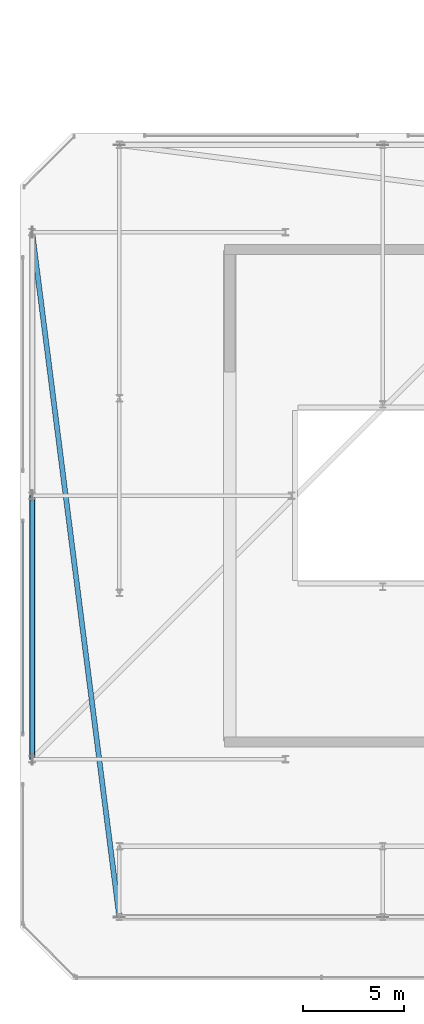
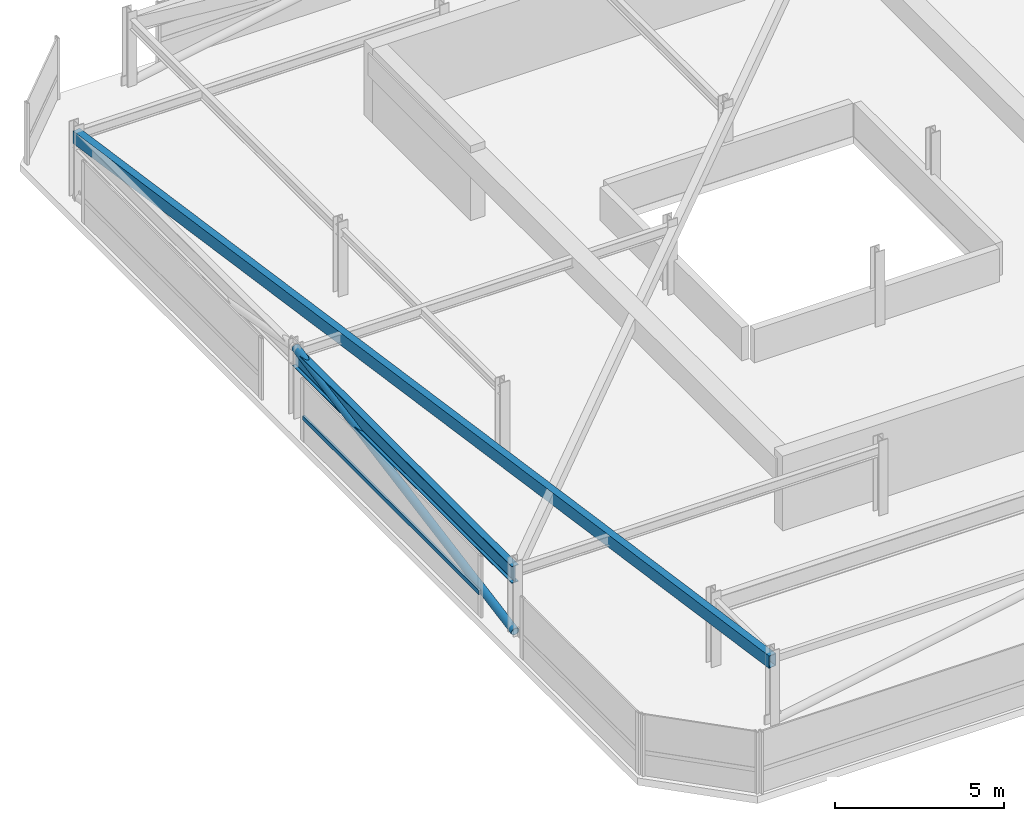
# One storey, part 11 of 42: 2 beams, 2 members, 1 element without a shape of its own.
"""IFC4 building model written with IfcOpenShell, lengths in metres."""

from ifc_helpers import new_model, si_unit, direction, frame, origin, origin_2d, place, context, subcontext, project, spatial, hollow_rectangle, hollow_circle, i_section, extrude, material, material_profile, profile_set, type_object, element, aggregate, save


model = new_model("IFC4")

# Units and contexts
model_context = context("Model", 3, precision=1e-05, world=origin(), true_north=direction((0.0, 1.0)))
body_context = subcontext(model_context, "Body", "Model", "MODEL_VIEW")
ifc_project = project(units=[si_unit("LENGTHUNIT", "METRE"), si_unit("AREAUNIT", "SQUARE_METRE"), si_unit("VOLUMEUNIT", "CUBIC_METRE"), si_unit("PLANEANGLEUNIT", "RADIAN"), si_unit("MASSUNIT", "GRAM", prefix="KILO")], contexts=[model_context])

# Site, building, storey
site_placement = place(None, origin())
site = spatial("IfcSite", under=ifc_project, at=site_placement, CompositionType="ELEMENT")
building_placement = place(site_placement, origin())
building = spatial("IfcBuilding", under=site, at=building_placement, Name="Thornwick Lancets Civic Towers", CompositionType="ELEMENT")
storey_placement = place(building_placement, frame((0.0, 0.0, 286.800048828125)))
storey = spatial("IfcBuildingStorey", under=building, at=storey_placement, Name="C03", CompositionType="ELEMENT", Elevation=286.800048828125)

# Beams
ifc_material_1 = material(Name="Steel S355JR", Category="steel")
ifc_material_profile_1 = material_profile(ifc_material_1, i_section(OverallWidth=0.230224609375, OverallDepth=0.6171875, WebThickness=0.01318359375, FlangeThickness=0.022216796875, FilletRadius=0.0126953125, at=origin_2d()), Name="UKB 610x229x140")
ifc_profile_set_1 = profile_set([ifc_material_profile_1], Name="Steel S355JR")
beam_type_1 = type_object("IfcBeamType", Name="BM_GIRD_610_140", PredefinedType="BEAM", material=ifc_profile_set_1)
beam_1_placement = place(storey_placement, frame((8.199951171875, 14.0, 2.13134765625), z_axis=(0.0, 1.0, 0.0), x_axis=(-1.0, 0.0, 0.0)))
element("IfcBeam", 1, at=beam_1_placement, inside=storey, type_object=beam_type_1, Name="BM-SPINE-C03-A-9-10", PredefinedType="BEAM", context=body_context, shape_type="SweptSolid", body=[
    extrude(i_section(OverallWidth=0.230224609375, OverallDepth=0.6171875, WebThickness=0.01318359375, FlangeThickness=0.022216796875, FilletRadius=0.0126953125, at=origin_2d()), origin(), (0.0, 0.0, 1.0), 13.0),
])
ifc_material_profile_2 = material_profile(ifc_material_1, hollow_rectangle(XDim=0.25, YDim=0.449951171875, WallThickness=0.01611328125, at=origin_2d()), Name="RHS 450x250x16")
ifc_profile_set_2 = profile_set([ifc_material_profile_2], Name="Steel S355JR")
beam_type_2 = type_object("IfcBeamType", Name="BM_RING_RHS450", PredefinedType="BEAM", material=ifc_profile_set_2)
beam_2_placement = place(storey_placement, frame((8.199951171875, 40.0, 2.21484375), z_axis=(0.126202998662, -0.992004437051, 0.0), x_axis=(0.992004437051, 0.126202998662, 0.0)))
element("IfcBeam", 2, at=beam_2_placement, inside=storey, type_object=beam_type_2, Name="BM-CHAMF-C03-A-C3", PredefinedType="BEAM", context=body_context, shape_type="SweptSolid", body=[
    extrude(hollow_rectangle(XDim=0.25, YDim=0.449951171875, WallThickness=0.01611328125, at=origin_2d()), origin(), (0.0, 0.0, 1.0), 34.072509765625),
])

# Curtain wall, member
ifc_material_2 = material(Name="Crown ring acoustic-louvre and glazing screen wall", Category="glass")
curtain_wall_type = type_object("IfcCurtainWallType", Name="CW_SYS_07", PredefinedType="NOTDEFINED", material=ifc_material_2)
curtain_wall_placement = place(storey_placement, origin())
curtain_wall = element("IfcCurtainWall", 3, at=curtain_wall_placement, inside=storey, type_object=curtain_wall_type, Name="C03 Curtain Wall CW-C03-A-E6-S2", PredefinedType="NOTDEFINED")
ifc_material_3 = material(Name="Thermally broken bronze aluminium S355", Category="steel")
ifc_material_profile_3 = material_profile(ifc_material_3, hollow_rectangle(XDim=0.074951171875, YDim=0.14990234375, WallThickness=0.0048828125, at=origin_2d()), Name="RHS 150x75x5")
ifc_profile_set_3 = profile_set([ifc_material_profile_3], Name="Thermally broken bronze aluminium S355")
member_type_1 = type_object("IfcMemberType", Name="CW_TRN_150", PredefinedType="USERDEFINED", material=ifc_profile_set_3)
member_1_placement = place(storey_placement, frame((7.7353515625, 25.72998046875, 0.849853515625), z_axis=(0.0, -1.0, 0.0), x_axis=(1.0, 0.0, 0.0)))
member_1 = element("IfcMember", 4, at=member_1_placement, type_object=member_type_1, Name="CW-C03-A-E6-S2 Transom 0", ObjectType="TRANSOM", PredefinedType="USERDEFINED", context=body_context, shape_type="SweptSolid", body=[
    extrude(hollow_rectangle(XDim=0.074951171875, YDim=0.14990234375, WallThickness=0.0048828125, at=origin_2d()), origin(), (0.0, 0.0, 1.0), 10.4599609375),
])
aggregate(curtain_wall, [member_1])

# Member
ifc_material_profile_4 = material_profile(ifc_material_1, hollow_circle(Radius=0.136474609375, WallThickness=0.012451171875, at=origin_2d()), Name="CHS 273x12.5")
ifc_profile_set_4 = profile_set([ifc_material_profile_4], Name="Steel S355JR")
member_type_2 = type_object("IfcMemberType", Name="MEM_CROWN_CHS273", PredefinedType="BRACE", material=ifc_profile_set_4)
member_2_placement = place(storey_placement, frame((8.199951171875, 14.0, 0.050048828125), z_axis=(0.0, 0.98351842104, 0.180807951915), x_axis=(-1.0, 0.0, 0.0)))
element("IfcMember", 5, at=member_2_placement, inside=storey, type_object=member_type_2, Name="C03 Crown Ring Lancet Rib A-S3-L", PredefinedType="BRACE", context=body_context, shape_type="SweptSolid", body=[
    extrude(hollow_circle(Radius=0.136474609375, WallThickness=0.012451171875, at=origin_2d()), origin(), (0.0, 0.0, 1.0), 13.2177734375),
])

save(model, "model.ifc")
